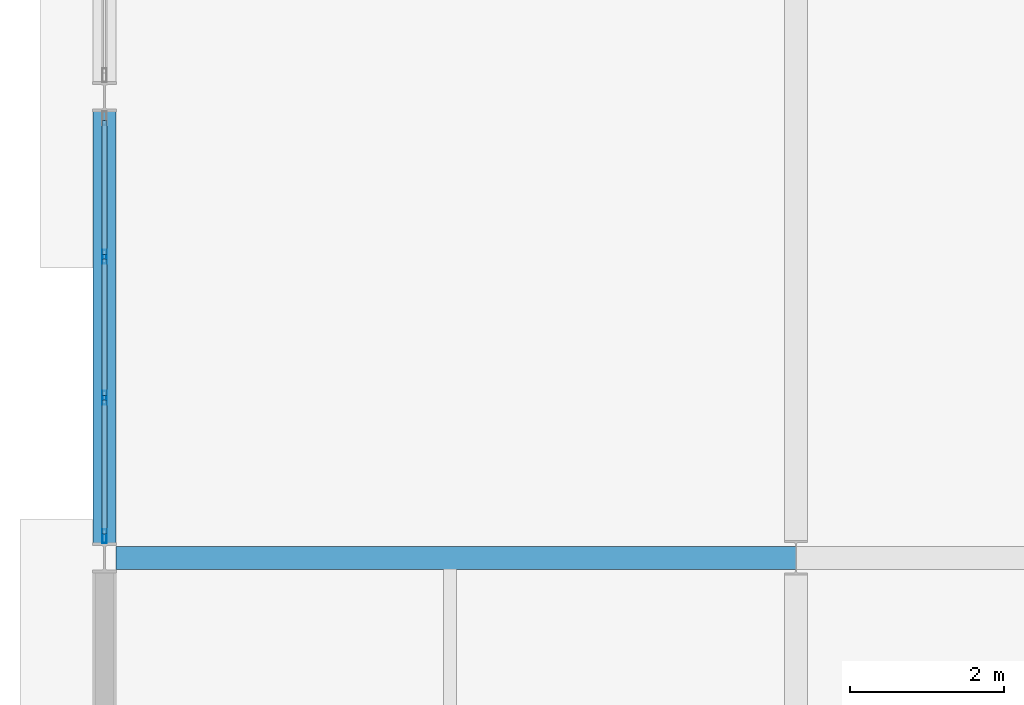
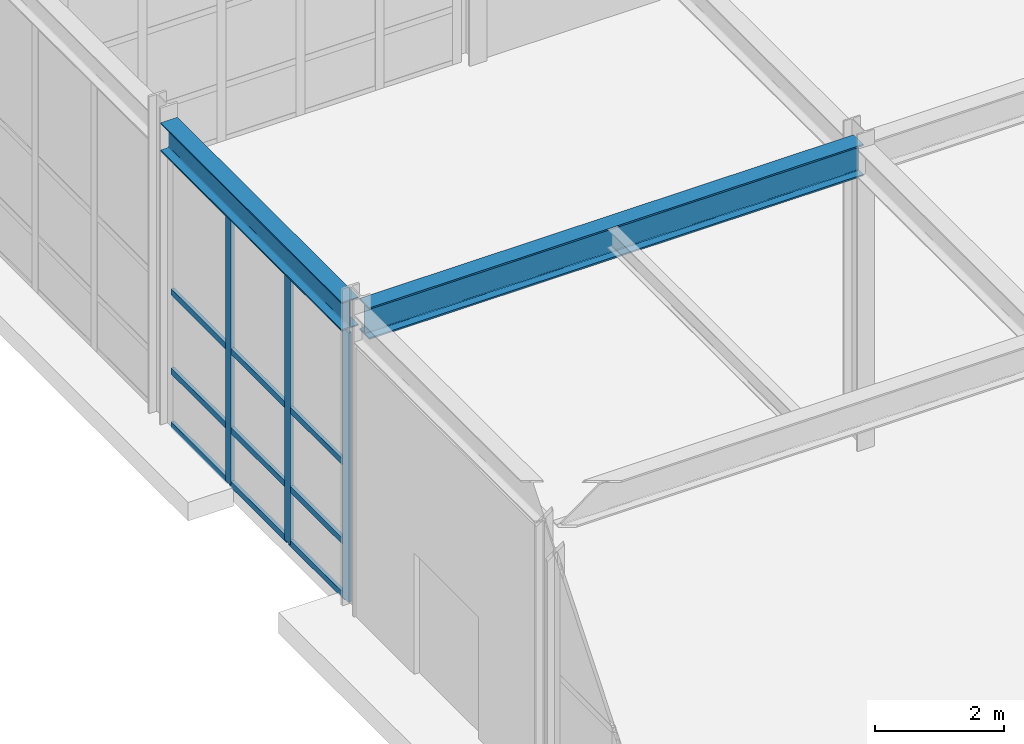
# One storey, part 25 of 146: 15 members, 2 beams, 1 element without a shape of its own.
"""IFC4 building model written with IfcOpenShell, lengths in metres."""

from ifc_helpers import new_model, si_unit, direction, frame, origin, origin_2d, place, context, subcontext, project, spatial, hollow_rectangle, i_section, extrude, material, material_profile, profile_set, type_object, element, aggregate, save


model = new_model("IFC4")

# Units and contexts
model_context = context("Model", 3, precision=1e-05, world=origin(), true_north=direction((0.0, 1.0)))
body_context = subcontext(model_context, "Body", "Model", "MODEL_VIEW")
ifc_project = project(units=[si_unit("LENGTHUNIT", "METRE"), si_unit("AREAUNIT", "SQUARE_METRE"), si_unit("VOLUMEUNIT", "CUBIC_METRE"), si_unit("PLANEANGLEUNIT", "RADIAN"), si_unit("MASSUNIT", "GRAM", prefix="KILO")], contexts=[model_context])

# Site, building, storey
site_placement = place(None, origin())
site = spatial("IfcSite", under=ifc_project, at=site_placement, CompositionType="ELEMENT")
building_placement = place(site_placement, origin())
building = spatial("IfcBuilding", under=site, at=building_placement, Name="Kaldris Quays Convention Centre", CompositionType="ELEMENT")
storey_placement = place(building_placement, origin())
storey = spatial("IfcBuildingStorey", under=building, at=storey_placement, Name="L00", CompositionType="ELEMENT", Elevation=0.0)

# Curtain wall, members
ifc_material_1 = material(Name="Anodized aluminium AW-6060 and triple glazing", Category="aluminium")
curtain_wall_type = type_object("IfcCurtainWallType", Name="UNITISED CURTAIN WALL CW05", PredefinedType="NOTDEFINED", material=ifc_material_1)
curtain_wall_placement = place(storey_placement, origin())
curtain_wall = element("IfcCurtainWall", 1, at=curtain_wall_placement, inside=storey, type_object=curtain_wall_type, Name="L00 Unitised Curtain Wall CW05 55", PredefinedType="NOTDEFINED")
ifc_material_2 = material(Name="Anodized aluminium AW-6060", Category="aluminium")
ifc_material_profile_1 = material_profile(ifc_material_2, hollow_rectangle(XDim=0.06005859375, YDim=0.179931640625, WallThickness=0.0048828125, at=origin_2d()), Name="RHS 180x60x5")
ifc_profile_set_1 = profile_set([ifc_material_profile_1], Name="Anodized aluminium AW-6060")
member_type_1 = type_object("IfcMemberType", Name="CURTAIN MULLION CWM2", PredefinedType="MULLION", material=ifc_profile_set_1)
member_1_placement = place(storey_placement, frame((20.0, 34.280029296875, 0.0), z_axis=(0.0, 0.0, 1.0), x_axis=(-1.0, 0.0, 0.0)))
member_1 = element("IfcMember", 2, at=member_1_placement, type_object=member_type_1, Name="CW05 mullion 1", PredefinedType="MULLION", context=body_context, shape_type="SweptSolid", body=[
    extrude(hollow_rectangle(XDim=0.06005859375, YDim=0.179931640625, WallThickness=0.0048828125, at=origin_2d()), origin(), (0.0, 0.0, 1.0), 5.097900390625),
])
member_2_placement = place(storey_placement, frame((20.0, 36.083251953125, 0.0), z_axis=(0.0, 0.0, 1.0), x_axis=(-1.0, 0.0, 0.0)))
member_2 = element("IfcMember", 3, at=member_2_placement, type_object=member_type_1, Name="CW05 mullion 2", PredefinedType="MULLION", context=body_context, shape_type="SweptSolid", body=[
    extrude(hollow_rectangle(XDim=0.06005859375, YDim=0.179931640625, WallThickness=0.0048828125, at=origin_2d()), origin(), (0.0, 0.0, 1.0), 5.097900390625),
])
member_3_placement = place(storey_placement, frame((20.0, 37.916748046875, 0.0), z_axis=(0.0, 0.0, 1.0), x_axis=(-1.0, 0.0, 0.0)))
member_3 = element("IfcMember", 4, at=member_3_placement, type_object=member_type_1, Name="CW05 mullion 3", PredefinedType="MULLION", context=body_context, shape_type="SweptSolid", body=[
    extrude(hollow_rectangle(XDim=0.06005859375, YDim=0.179931640625, WallThickness=0.0048828125, at=origin_2d()), origin(), (0.0, 0.0, 1.0), 5.097900390625),
])
ifc_material_profile_2 = material_profile(ifc_material_2, hollow_rectangle(XDim=0.06005859375, YDim=0.1201171875, WallThickness=0.00390625, at=origin_2d()), Name="RHS 120x60x4")
ifc_profile_set_2 = profile_set([ifc_material_profile_2], Name="Anodized aluminium AW-6060")
member_type_2 = type_object("IfcMemberType", Name="CURTAIN TRANSOM CWT1", PredefinedType="USERDEFINED", material=ifc_profile_set_2)
member_4_placement = place(storey_placement, frame((20.0, 34.31005859375, 0.030029296875), z_axis=(0.0, 1.0, 0.0), x_axis=(-1.0, 0.0, 0.0)))
member_4 = element("IfcMember", 5, at=member_4_placement, type_object=member_type_2, Name="CW05 transom 1.1", ObjectType="TRANSOM", PredefinedType="USERDEFINED", context=body_context, shape_type="SweptSolid", body=[
    extrude(hollow_rectangle(XDim=0.06005859375, YDim=0.1201171875, WallThickness=0.00390625, at=origin_2d()), origin(), (0.0, 0.0, 1.0), 1.7431640625),
])
member_5_placement = place(storey_placement, frame((20.0, 34.31005859375, 1.050048828125), z_axis=(0.0, 1.0, 0.0), x_axis=(-1.0, 0.0, 0.0)))
member_5 = element("IfcMember", 6, at=member_5_placement, type_object=member_type_2, Name="CW05 transom 1.2", ObjectType="TRANSOM", PredefinedType="USERDEFINED", context=body_context, shape_type="SweptSolid", body=[
    extrude(hollow_rectangle(XDim=0.06005859375, YDim=0.1201171875, WallThickness=0.00390625, at=origin_2d()), origin(), (0.0, 0.0, 1.0), 1.7431640625),
])
member_6_placement = place(storey_placement, frame((20.0, 34.31005859375, 2.549072265625), z_axis=(0.0, 1.0, 0.0), x_axis=(-1.0, 0.0, 0.0)))
member_6 = element("IfcMember", 7, at=member_6_placement, type_object=member_type_2, Name="CW05 transom 1.3", ObjectType="TRANSOM", PredefinedType="USERDEFINED", context=body_context, shape_type="SweptSolid", body=[
    extrude(hollow_rectangle(XDim=0.06005859375, YDim=0.1201171875, WallThickness=0.00390625, at=origin_2d()), origin(), (0.0, 0.0, 1.0), 1.7431640625),
])
member_7_placement = place(storey_placement, frame((20.0, 34.31005859375, 5.068115234375), z_axis=(0.0, 1.0, 0.0), x_axis=(-1.0, 0.0, 0.0)))
member_7 = element("IfcMember", 8, at=member_7_placement, type_object=member_type_2, Name="CW05 transom 1.4", ObjectType="TRANSOM", PredefinedType="USERDEFINED", context=body_context, shape_type="SweptSolid", body=[
    extrude(hollow_rectangle(XDim=0.06005859375, YDim=0.1201171875, WallThickness=0.00390625, at=origin_2d()), origin(), (0.0, 0.0, 1.0), 1.7431640625),
])
member_8_placement = place(storey_placement, frame((20.0, 36.11328125, 0.030029296875), z_axis=(0.0, 1.0, 0.0), x_axis=(-1.0, 0.0, 0.0)))
member_8 = element("IfcMember", 9, at=member_8_placement, type_object=member_type_2, Name="CW05 transom 2.1", ObjectType="TRANSOM", PredefinedType="USERDEFINED", context=body_context, shape_type="SweptSolid", body=[
    extrude(hollow_rectangle(XDim=0.06005859375, YDim=0.1201171875, WallThickness=0.00390625, at=origin_2d()), origin(), (0.0, 0.0, 1.0), 1.7734375),
])
member_9_placement = place(storey_placement, frame((20.0, 36.11328125, 1.050048828125), z_axis=(0.0, 1.0, 0.0), x_axis=(-1.0, 0.0, 0.0)))
member_9 = element("IfcMember", 10, at=member_9_placement, type_object=member_type_2, Name="CW05 transom 2.2", ObjectType="TRANSOM", PredefinedType="USERDEFINED", context=body_context, shape_type="SweptSolid", body=[
    extrude(hollow_rectangle(XDim=0.06005859375, YDim=0.1201171875, WallThickness=0.00390625, at=origin_2d()), origin(), (0.0, 0.0, 1.0), 1.7734375),
])
member_10_placement = place(storey_placement, frame((20.0, 36.11328125, 2.549072265625), z_axis=(0.0, 1.0, 0.0), x_axis=(-1.0, 0.0, 0.0)))
member_10 = element("IfcMember", 11, at=member_10_placement, type_object=member_type_2, Name="CW05 transom 2.3", ObjectType="TRANSOM", PredefinedType="USERDEFINED", context=body_context, shape_type="SweptSolid", body=[
    extrude(hollow_rectangle(XDim=0.06005859375, YDim=0.1201171875, WallThickness=0.00390625, at=origin_2d()), origin(), (0.0, 0.0, 1.0), 1.7734375),
])
member_11_placement = place(storey_placement, frame((20.0, 36.11328125, 5.068115234375), z_axis=(0.0, 1.0, 0.0), x_axis=(-1.0, 0.0, 0.0)))
member_11 = element("IfcMember", 12, at=member_11_placement, type_object=member_type_2, Name="CW05 transom 2.4", ObjectType="TRANSOM", PredefinedType="USERDEFINED", context=body_context, shape_type="SweptSolid", body=[
    extrude(hollow_rectangle(XDim=0.06005859375, YDim=0.1201171875, WallThickness=0.00390625, at=origin_2d()), origin(), (0.0, 0.0, 1.0), 1.7734375),
])
member_12_placement = place(storey_placement, frame((20.0, 37.94677734375, 0.030029296875), z_axis=(0.0, 1.0, 0.0), x_axis=(-1.0, 0.0, 0.0)))
member_12 = element("IfcMember", 13, at=member_12_placement, type_object=member_type_2, Name="CW05 transom 3.1", ObjectType="TRANSOM", PredefinedType="USERDEFINED", context=body_context, shape_type="SweptSolid", body=[
    extrude(hollow_rectangle(XDim=0.06005859375, YDim=0.1201171875, WallThickness=0.00390625, at=origin_2d()), origin(), (0.0, 0.0, 1.0), 1.7431640625),
])
member_13_placement = place(storey_placement, frame((20.0, 37.94677734375, 1.050048828125), z_axis=(0.0, 1.0, 0.0), x_axis=(-1.0, 0.0, 0.0)))
member_13 = element("IfcMember", 14, at=member_13_placement, type_object=member_type_2, Name="CW05 transom 3.2", ObjectType="TRANSOM", PredefinedType="USERDEFINED", context=body_context, shape_type="SweptSolid", body=[
    extrude(hollow_rectangle(XDim=0.06005859375, YDim=0.1201171875, WallThickness=0.00390625, at=origin_2d()), origin(), (0.0, 0.0, 1.0), 1.7431640625),
])
member_14_placement = place(storey_placement, frame((20.0, 37.94677734375, 2.549072265625), z_axis=(0.0, 1.0, 0.0), x_axis=(-1.0, 0.0, 0.0)))
member_14 = element("IfcMember", 15, at=member_14_placement, type_object=member_type_2, Name="CW05 transom 3.3", ObjectType="TRANSOM", PredefinedType="USERDEFINED", context=body_context, shape_type="SweptSolid", body=[
    extrude(hollow_rectangle(XDim=0.06005859375, YDim=0.1201171875, WallThickness=0.00390625, at=origin_2d()), origin(), (0.0, 0.0, 1.0), 1.7431640625),
])
member_15_placement = place(storey_placement, frame((20.0, 37.94677734375, 5.068115234375), z_axis=(0.0, 1.0, 0.0), x_axis=(-1.0, 0.0, 0.0)))
member_15 = element("IfcMember", 16, at=member_15_placement, type_object=member_type_2, Name="CW05 transom 3.4", ObjectType="TRANSOM", PredefinedType="USERDEFINED", context=body_context, shape_type="SweptSolid", body=[
    extrude(hollow_rectangle(XDim=0.06005859375, YDim=0.1201171875, WallThickness=0.00390625, at=origin_2d()), origin(), (0.0, 0.0, 1.0), 1.7431640625),
])
aggregate(curtain_wall, [member_1, member_2, member_3, member_4, member_5, member_6, member_7, member_8, member_9, member_10, member_11, member_12, member_13, member_14, member_15])

# Beams
ifc_material_3 = material(Name="Steel S355J2", Category="steel")
ifc_material_profile_3 = material_profile(ifc_material_3, i_section(OverallWidth=0.300048828125, OverallDepth=0.60009765625, WebThickness=0.015380859375, FlangeThickness=0.030029296875, FilletRadius=0.027099609375, at=origin_2d()), Name="HEB 600")
ifc_profile_set_3 = profile_set([ifc_material_profile_3], Name="Steel S355J2")
beam_type_1 = type_object("IfcBeamType", Name="STRUCTURAL BEAM BM05", PredefinedType="BEAM", material=ifc_profile_set_3)
beam_1_placement = place(storey_placement, frame((20.14794921875, 34.0, 5.423095703125), z_axis=(1.0, 0.0, 0.0), x_axis=(0.0, 1.0, 0.0)))
element("IfcBeam", 17, at=beam_1_placement, inside=storey, type_object=beam_type_1, Name="L00 Girder BM05 13", PredefinedType="BEAM", context=body_context, shape_type="SweptSolid", body=[
    extrude(i_section(OverallWidth=0.300048828125, OverallDepth=0.60009765625, WebThickness=0.015380859375, FlangeThickness=0.030029296875, FilletRadius=0.027099609375, at=origin_2d()), origin(), (0.0, 0.0, 1.0), 8.85107421875),
])
ifc_material_profile_4 = material_profile(ifc_material_3, i_section(OverallWidth=0.300048828125, OverallDepth=0.5400390625, WebThickness=0.012451171875, FlangeThickness=0.02392578125, FilletRadius=0.027099609375, at=origin_2d()), Name="HEA 550")
ifc_profile_set_4 = profile_set([ifc_material_profile_4], Name="Steel S355J2")
beam_type_2 = type_object("IfcBeamType", Name="STRUCTURAL BEAM BM13", PredefinedType="BEAM", material=ifc_profile_set_4)
beam_2_placement = place(storey_placement, frame((20.0, 34.19140625, 5.452880859375), z_axis=(0.0, 1.0, 0.0), x_axis=(-1.0, 0.0, 0.0)))
element("IfcBeam", 18, at=beam_2_placement, inside=storey, type_object=beam_type_2, Name="L00 Girder BM13 30", PredefinedType="BEAM", context=body_context, shape_type="SweptSolid", body=[
    extrude(i_section(OverallWidth=0.300048828125, OverallDepth=0.5400390625, WebThickness=0.012451171875, FlangeThickness=0.02392578125, FilletRadius=0.027099609375, at=origin_2d()), origin(), (0.0, 0.0, 1.0), 5.6171875),
])

save(model, "model.ifc")
